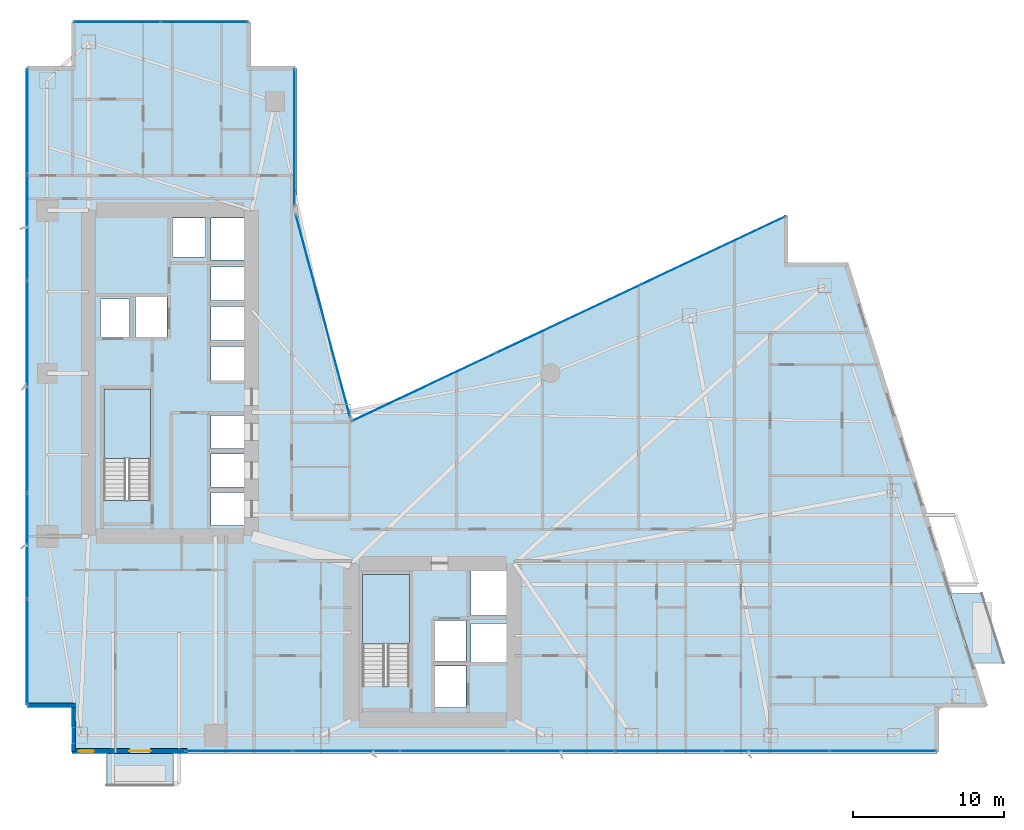
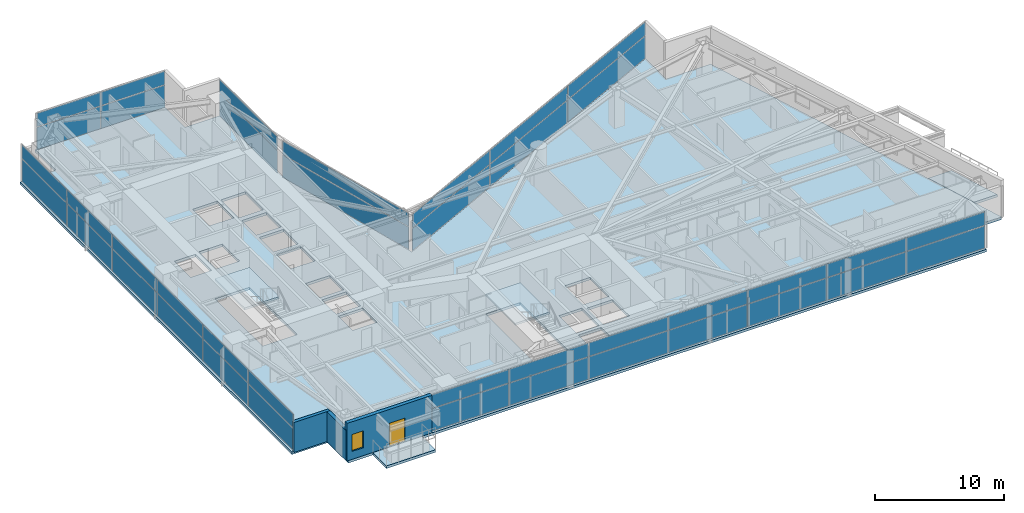
# One storey, part 21 of 30: 40 plates, 5 slabs, 3 walls, 1 door, 1 window, 2 openings, 8 elements without a shape of their own.
"""IFC4 building model written with IfcOpenShell, lengths in metres."""

from ifc_helpers import new_model, si_unit, direction, frame, frame_2d, origin, origin_2d, place, context, subcontext, project, spatial, polyline, rectangle, outline, extrude, material, layer, layer_set, type_object, element, fill, aggregate, save


model = new_model("IFC4")

# Units and contexts
model_context = context("Model", 3, precision=1e-05, world=origin(), true_north=direction((0.0, 1.0)))
body_context = subcontext(model_context, "Body", "Model", "MODEL_VIEW")
ifc_project = project(units=[si_unit("LENGTHUNIT", "METRE"), si_unit("AREAUNIT", "SQUARE_METRE"), si_unit("VOLUMEUNIT", "CUBIC_METRE"), si_unit("PLANEANGLEUNIT", "RADIAN"), si_unit("MASSUNIT", "GRAM", prefix="KILO")], contexts=[model_context])

# Site, building, storey
site_placement = place(None, origin())
site = spatial("IfcSite", under=ifc_project, at=site_placement, CompositionType="ELEMENT")
building_placement = place(site_placement, origin())
building = spatial("IfcBuilding", under=site, at=building_placement, Name="Calvorn Quay Hotel", CompositionType="ELEMENT")
storey_placement = place(building_placement, frame((0.0, 0.0, 54.60009765625)))
storey = spatial("IfcBuildingStorey", under=building, at=storey_placement, Name="L12", CompositionType="ELEMENT", Elevation=54.60009765625)

# Curtain wall, plates
ifc_material_1 = material(Name="Pale Anodised Aluminium and Low-E Glass", Category="aluminium")
ifc_layer_1 = layer(ifc_material_1, 0.219970703125)
ifc_layer_set_1 = layer_set([ifc_layer_1], Name="CW-SYS-Z1")
curtain_wall_type = type_object("IfcCurtainWallType", Name="CW-SYS-Z1", PredefinedType="NOTDEFINED", material=ifc_layer_set_1)
curtain_wall_1_placement = place(storey_placement, origin())
curtain_wall_1 = element("IfcCurtainWall", 1, at=curtain_wall_1_placement, inside=storey, type_object=curtain_wall_type, Name="Tower West Curtain Wall (L12)", PredefinedType="NOTDEFINED")
ifc_material_2 = material(Name="Low-E Laminated Double Glazing", Category="glass")
ifc_layer_2 = layer(ifc_material_2, 0.028076171875)
ifc_layer_set_2 = layer_set([ifc_layer_2], Name="CW-SYS-Z1-PAN")
plate_type = type_object("IfcPlateType", Name="CW-SYS-Z1-PAN", PredefinedType="CURTAIN_PANEL", material=ifc_layer_set_2)
plate_1_placement = place(storey_placement, frame((0.14990234375, 9.131591796875, 0.06005859375), z_axis=(0.0, 0.0, 1.0), x_axis=(0.0, 1.0, 0.0)))
plate_1 = element("IfcPlate", 2, at=plate_1_placement, type_object=plate_type, Name="CW-L12-W panel 1.1", PredefinedType="CURTAIN_PANEL", context=body_context, shape_type="SweptSolid", body=[
    extrude(rectangle(XDim=6.943359375, YDim=0.028076171875, at=origin_2d()), origin(), (0.0, 0.0, 1.0), 2.110107421875),
])
plate_2_placement = place(storey_placement, frame((0.14990234375, 9.131591796875, 2.22998046875), z_axis=(0.0, 0.0, 1.0), x_axis=(0.0, 1.0, 0.0)))
plate_2 = element("IfcPlate", 3, at=plate_2_placement, type_object=plate_type, Name="CW-L12-W panel 1.2", PredefinedType="CURTAIN_PANEL", context=body_context, shape_type="SweptSolid", body=[
    extrude(rectangle(XDim=6.943359375, YDim=0.028076171875, at=origin_2d()), origin(), (0.0, 0.0, 1.0), 1.27001953125),
])
plate_3_placement = place(storey_placement, frame((0.14990234375, 16.14990234375, 0.06005859375), z_axis=(0.0, 0.0, 1.0), x_axis=(0.0, 1.0, 0.0)))
plate_3 = element("IfcPlate", 4, at=plate_3_placement, type_object=plate_type, Name="CW-L12-W panel 2.1", PredefinedType="CURTAIN_PANEL", context=body_context, shape_type="SweptSolid", body=[
    extrude(rectangle(XDim=6.973388671875, YDim=0.028076171875, at=origin_2d()), origin(), (0.0, 0.0, 1.0), 2.110107421875),
])
plate_4_placement = place(storey_placement, frame((0.14990234375, 16.14990234375, 2.22998046875), z_axis=(0.0, 0.0, 1.0), x_axis=(0.0, 1.0, 0.0)))
plate_4 = element("IfcPlate", 5, at=plate_4_placement, type_object=plate_type, Name="CW-L12-W panel 2.2", PredefinedType="CURTAIN_PANEL", context=body_context, shape_type="SweptSolid", body=[
    extrude(rectangle(XDim=6.973388671875, YDim=0.028076171875, at=origin_2d()), origin(), (0.0, 0.0, 1.0), 1.27001953125),
])
plate_5_placement = place(storey_placement, frame((0.14990234375, 23.183349609375, 0.06005859375), z_axis=(0.0, 0.0, 1.0), x_axis=(0.0, 1.0, 0.0)))
plate_5 = element("IfcPlate", 6, at=plate_5_placement, type_object=plate_type, Name="CW-L12-W panel 3.1", PredefinedType="CURTAIN_PANEL", context=body_context, shape_type="SweptSolid", body=[
    extrude(rectangle(XDim=6.973388671875, YDim=0.028076171875, at=origin_2d()), origin(), (0.0, 0.0, 1.0), 2.110107421875),
])
plate_6_placement = place(storey_placement, frame((0.14990234375, 23.183349609375, 2.22998046875), z_axis=(0.0, 0.0, 1.0), x_axis=(0.0, 1.0, 0.0)))
plate_6 = element("IfcPlate", 7, at=plate_6_placement, type_object=plate_type, Name="CW-L12-W panel 3.2", PredefinedType="CURTAIN_PANEL", context=body_context, shape_type="SweptSolid", body=[
    extrude(rectangle(XDim=6.973388671875, YDim=0.028076171875, at=origin_2d()), origin(), (0.0, 0.0, 1.0), 1.27001953125),
])
plate_7_placement = place(storey_placement, frame((0.14990234375, 30.216552734375, 0.06005859375), z_axis=(0.0, 0.0, 1.0), x_axis=(0.0, 1.0, 0.0)))
plate_7 = element("IfcPlate", 8, at=plate_7_placement, type_object=plate_type, Name="CW-L12-W panel 4.1", PredefinedType="CURTAIN_PANEL", context=body_context, shape_type="SweptSolid", body=[
    extrude(rectangle(XDim=6.973388671875, YDim=0.028076171875, at=origin_2d()), origin(), (0.0, 0.0, 1.0), 2.110107421875),
])
plate_8_placement = place(storey_placement, frame((0.14990234375, 30.216552734375, 2.22998046875), z_axis=(0.0, 0.0, 1.0), x_axis=(0.0, 1.0, 0.0)))
plate_8 = element("IfcPlate", 9, at=plate_8_placement, type_object=plate_type, Name="CW-L12-W panel 4.2", PredefinedType="CURTAIN_PANEL", context=body_context, shape_type="SweptSolid", body=[
    extrude(rectangle(XDim=6.973388671875, YDim=0.028076171875, at=origin_2d()), origin(), (0.0, 0.0, 1.0), 1.27001953125),
])
plate_9_placement = place(storey_placement, frame((0.14990234375, 37.25, 0.06005859375), z_axis=(0.0, 0.0, 1.0), x_axis=(0.0, 1.0, 0.0)))
plate_9 = element("IfcPlate", 10, at=plate_9_placement, type_object=plate_type, Name="CW-L12-W panel 5.1", PredefinedType="CURTAIN_PANEL", context=body_context, shape_type="SweptSolid", body=[
    extrude(rectangle(XDim=6.973388671875, YDim=0.028076171875, at=origin_2d()), origin(), (0.0, 0.0, 1.0), 2.110107421875),
])
plate_10_placement = place(storey_placement, frame((0.14990234375, 37.25, 2.22998046875), z_axis=(0.0, 0.0, 1.0), x_axis=(0.0, 1.0, 0.0)))
plate_10 = element("IfcPlate", 11, at=plate_10_placement, type_object=plate_type, Name="CW-L12-W panel 5.2", PredefinedType="CURTAIN_PANEL", context=body_context, shape_type="SweptSolid", body=[
    extrude(rectangle(XDim=6.973388671875, YDim=0.028076171875, at=origin_2d()), origin(), (0.0, 0.0, 1.0), 1.27001953125),
])
plate_11_placement = place(storey_placement, frame((0.14990234375, 44.268310546875, 0.06005859375), z_axis=(0.0, 0.0, 1.0), x_axis=(0.0, 1.0, 0.0)))
plate_11 = element("IfcPlate", 12, at=plate_11_placement, type_object=plate_type, Name="CW-L12-W panel 6.1", PredefinedType="CURTAIN_PANEL", context=body_context, shape_type="SweptSolid", body=[
    extrude(rectangle(XDim=6.943359375, YDim=0.028076171875, at=origin_2d()), origin(), (0.0, 0.0, 1.0), 2.110107421875),
])
plate_12_placement = place(storey_placement, frame((0.14990234375, 44.268310546875, 2.22998046875), z_axis=(0.0, 0.0, 1.0), x_axis=(0.0, 1.0, 0.0)))
plate_12 = element("IfcPlate", 13, at=plate_12_placement, type_object=plate_type, Name="CW-L12-W panel 6.2", PredefinedType="CURTAIN_PANEL", context=body_context, shape_type="SweptSolid", body=[
    extrude(rectangle(XDim=6.943359375, YDim=0.028076171875, at=origin_2d()), origin(), (0.0, 0.0, 1.0), 1.27001953125),
])
aggregate(curtain_wall_1, [plate_1, plate_2, plate_3, plate_4, plate_5, plate_6, plate_7, plate_8, plate_9, plate_10, plate_11, plate_12])

curtain_wall_2_placement = place(storey_placement, origin())
curtain_wall_2 = element("IfcCurtainWall", 14, at=curtain_wall_2_placement, inside=storey, type_object=curtain_wall_type, Name="Tower South Waterfront Curtain Wall (L12)", PredefinedType="NOTDEFINED")
plate_13_placement = place(storey_placement, frame((14.172119140625, 2.550048828125, 0.06005859375), z_axis=(0.0, 0.0, 1.0), x_axis=(1.0, 0.0, 0.0)))
plate_13 = element("IfcPlate", 15, at=plate_13_placement, type_object=plate_type, Name="CW-L12-S panel 1.1", PredefinedType="CURTAIN_PANEL", context=body_context, shape_type="SweptSolid", body=[
    extrude(rectangle(XDim=7.024169921875, YDim=0.028076171875, at=origin_2d()), origin(), (0.0, 0.0, 1.0), 2.110107421875),
])
plate_14_placement = place(storey_placement, frame((14.172119140625, 2.550048828125, 2.22998046875), z_axis=(0.0, 0.0, 1.0), x_axis=(1.0, 0.0, 0.0)))
plate_14 = element("IfcPlate", 16, at=plate_14_placement, type_object=plate_type, Name="CW-L12-S panel 1.2", PredefinedType="CURTAIN_PANEL", context=body_context, shape_type="SweptSolid", body=[
    extrude(rectangle(XDim=7.024169921875, YDim=0.028076171875, at=origin_2d()), origin(), (0.0, 0.0, 1.0), 1.27001953125),
])
plate_15_placement = place(storey_placement, frame((21.271484375, 2.550048828125, 0.06005859375), z_axis=(0.0, 0.0, 1.0), x_axis=(1.0, 0.0, 0.0)))
plate_15 = element("IfcPlate", 17, at=plate_15_placement, type_object=plate_type, Name="CW-L12-S panel 2.1", PredefinedType="CURTAIN_PANEL", context=body_context, shape_type="SweptSolid", body=[
    extrude(rectangle(XDim=7.05419921875, YDim=0.028076171875, at=origin_2d()), origin(), (0.0, 0.0, 1.0), 2.110107421875),
])
plate_16_placement = place(storey_placement, frame((21.271484375, 2.550048828125, 2.22998046875), z_axis=(0.0, 0.0, 1.0), x_axis=(1.0, 0.0, 0.0)))
plate_16 = element("IfcPlate", 18, at=plate_16_placement, type_object=plate_type, Name="CW-L12-S panel 2.2", PredefinedType="CURTAIN_PANEL", context=body_context, shape_type="SweptSolid", body=[
    extrude(rectangle(XDim=7.05419921875, YDim=0.028076171875, at=origin_2d()), origin(), (0.0, 0.0, 1.0), 1.27001953125),
])
plate_17_placement = place(storey_placement, frame((28.3857421875, 2.550048828125, 0.06005859375), z_axis=(0.0, 0.0, 1.0), x_axis=(1.0, 0.0, 0.0)))
plate_17 = element("IfcPlate", 19, at=plate_17_placement, type_object=plate_type, Name="CW-L12-S panel 3.1", PredefinedType="CURTAIN_PANEL", context=body_context, shape_type="SweptSolid", body=[
    extrude(rectangle(XDim=7.05419921875, YDim=0.028076171875, at=origin_2d()), origin(), (0.0, 0.0, 1.0), 2.110107421875),
])
plate_18_placement = place(storey_placement, frame((28.3857421875, 2.550048828125, 2.22998046875), z_axis=(0.0, 0.0, 1.0), x_axis=(1.0, 0.0, 0.0)))
plate_18 = element("IfcPlate", 20, at=plate_18_placement, type_object=plate_type, Name="CW-L12-S panel 3.2", PredefinedType="CURTAIN_PANEL", context=body_context, shape_type="SweptSolid", body=[
    extrude(rectangle(XDim=7.05419921875, YDim=0.028076171875, at=origin_2d()), origin(), (0.0, 0.0, 1.0), 1.27001953125),
])
plate_19_placement = place(storey_placement, frame((35.5, 2.550048828125, 0.06005859375), z_axis=(0.0, 0.0, 1.0), x_axis=(1.0, 0.0, 0.0)))
plate_19 = element("IfcPlate", 21, at=plate_19_placement, type_object=plate_type, Name="CW-L12-S panel 4.1", PredefinedType="CURTAIN_PANEL", context=body_context, shape_type="SweptSolid", body=[
    extrude(rectangle(XDim=7.05419921875, YDim=0.028076171875, at=origin_2d()), origin(), (0.0, 0.0, 1.0), 2.110107421875),
])
plate_20_placement = place(storey_placement, frame((35.5, 2.550048828125, 2.22998046875), z_axis=(0.0, 0.0, 1.0), x_axis=(1.0, 0.0, 0.0)))
plate_20 = element("IfcPlate", 22, at=plate_20_placement, type_object=plate_type, Name="CW-L12-S panel 4.2", PredefinedType="CURTAIN_PANEL", context=body_context, shape_type="SweptSolid", body=[
    extrude(rectangle(XDim=7.05419921875, YDim=0.028076171875, at=origin_2d()), origin(), (0.0, 0.0, 1.0), 1.27001953125),
])
plate_21_placement = place(storey_placement, frame((42.6142578125, 2.550048828125, 0.06005859375), z_axis=(0.0, 0.0, 1.0), x_axis=(1.0, 0.0, 0.0)))
plate_21 = element("IfcPlate", 23, at=plate_21_placement, type_object=plate_type, Name="CW-L12-S panel 5.1", PredefinedType="CURTAIN_PANEL", context=body_context, shape_type="SweptSolid", body=[
    extrude(rectangle(XDim=7.05419921875, YDim=0.028076171875, at=origin_2d()), origin(), (0.0, 0.0, 1.0), 2.110107421875),
])
plate_22_placement = place(storey_placement, frame((42.6142578125, 2.550048828125, 2.22998046875), z_axis=(0.0, 0.0, 1.0), x_axis=(1.0, 0.0, 0.0)))
plate_22 = element("IfcPlate", 24, at=plate_22_placement, type_object=plate_type, Name="CW-L12-S panel 5.2", PredefinedType="CURTAIN_PANEL", context=body_context, shape_type="SweptSolid", body=[
    extrude(rectangle(XDim=7.05419921875, YDim=0.028076171875, at=origin_2d()), origin(), (0.0, 0.0, 1.0), 1.27001953125),
])
plate_23_placement = place(storey_placement, frame((49.728515625, 2.550048828125, 0.06005859375), z_axis=(0.0, 0.0, 1.0), x_axis=(1.0, 0.0, 0.0)))
plate_23 = element("IfcPlate", 25, at=plate_23_placement, type_object=plate_type, Name="CW-L12-S panel 6.1", PredefinedType="CURTAIN_PANEL", context=body_context, shape_type="SweptSolid", body=[
    extrude(rectangle(XDim=7.05419921875, YDim=0.028076171875, at=origin_2d()), origin(), (0.0, 0.0, 1.0), 2.110107421875),
])
plate_24_placement = place(storey_placement, frame((49.728515625, 2.550048828125, 2.22998046875), z_axis=(0.0, 0.0, 1.0), x_axis=(1.0, 0.0, 0.0)))
plate_24 = element("IfcPlate", 26, at=plate_24_placement, type_object=plate_type, Name="CW-L12-S panel 6.2", PredefinedType="CURTAIN_PANEL", context=body_context, shape_type="SweptSolid", body=[
    extrude(rectangle(XDim=7.05419921875, YDim=0.028076171875, at=origin_2d()), origin(), (0.0, 0.0, 1.0), 1.27001953125),
])
plate_25_placement = place(storey_placement, frame((56.827880859375, 2.550048828125, 0.06005859375), z_axis=(0.0, 0.0, 1.0), x_axis=(1.0, 0.0, 0.0)))
plate_25 = element("IfcPlate", 27, at=plate_25_placement, type_object=plate_type, Name="CW-L12-S panel 7.1", PredefinedType="CURTAIN_PANEL", context=body_context, shape_type="SweptSolid", body=[
    extrude(rectangle(XDim=7.024169921875, YDim=0.028076171875, at=origin_2d()), origin(), (0.0, 0.0, 1.0), 2.110107421875),
])
plate_26_placement = place(storey_placement, frame((56.827880859375, 2.550048828125, 2.22998046875), z_axis=(0.0, 0.0, 1.0), x_axis=(1.0, 0.0, 0.0)))
plate_26 = element("IfcPlate", 28, at=plate_26_placement, type_object=plate_type, Name="CW-L12-S panel 7.2", PredefinedType="CURTAIN_PANEL", context=body_context, shape_type="SweptSolid", body=[
    extrude(rectangle(XDim=7.024169921875, YDim=0.028076171875, at=origin_2d()), origin(), (0.0, 0.0, 1.0), 1.27001953125),
])
aggregate(curtain_wall_2, [plate_13, plate_14, plate_15, plate_16, plate_17, plate_18, plate_19, plate_20, plate_21, plate_22, plate_23, plate_24, plate_25, plate_26])

curtain_wall_3_placement = place(storey_placement, origin())
curtain_wall_3 = element("IfcCurtainWall", 29, at=curtain_wall_3_placement, inside=storey, type_object=curtain_wall_type, Name="Inner Court Curtain Wall L12-NE1", PredefinedType="NOTDEFINED")
plate_27_placement = place(storey_placement, frame((45.58642578125, 35.726806640625, 0.06005859375), z_axis=(0.0, 0.0, 1.0), x_axis=(-0.904248646743, -0.427006305415, 0.0)))
plate_27 = element("IfcPlate", 30, at=plate_27_placement, type_object=plate_type, Name="CW-L12-NE1 panel 1.1", PredefinedType="CURTAIN_PANEL", context=body_context, shape_type="SweptSolid", body=[
    extrude(rectangle(XDim=10.526611328125, YDim=0.028076171875, at=origin_2d()), origin(), (0.0, 0.0, 1.0), 2.110107421875),
])
plate_28_placement = place(storey_placement, frame((45.58642578125, 35.726806640625, 2.22998046875), z_axis=(0.0, 0.0, 1.0), x_axis=(-0.904248646743, -0.427006305415, 0.0)))
plate_28 = element("IfcPlate", 31, at=plate_28_placement, type_object=plate_type, Name="CW-L12-NE1 panel 1.2", PredefinedType="CURTAIN_PANEL", context=body_context, shape_type="SweptSolid", body=[
    extrude(rectangle(XDim=10.526611328125, YDim=0.028076171875, at=origin_2d()), origin(), (0.0, 0.0, 1.0), 1.27001953125),
])
plate_29_placement = place(storey_placement, frame((36.0, 31.199951171875, 0.06005859375), z_axis=(0.0, 0.0, 1.0), x_axis=(-0.904248646743, -0.427006305415, 0.0)))
plate_29 = element("IfcPlate", 32, at=plate_29_placement, type_object=plate_type, Name="CW-L12-NE1 panel 2.1", PredefinedType="CURTAIN_PANEL", context=body_context, shape_type="SweptSolid", body=[
    extrude(rectangle(XDim=10.556640625, YDim=0.028076171875, at=origin_2d()), origin(), (0.0, 0.0, 1.0), 2.110107421875),
])
plate_30_placement = place(storey_placement, frame((36.0, 31.199951171875, 2.22998046875), z_axis=(0.0, 0.0, 1.0), x_axis=(-0.904248646743, -0.427006305415, 0.0)))
plate_30 = element("IfcPlate", 33, at=plate_30_placement, type_object=plate_type, Name="CW-L12-NE1 panel 2.2", PredefinedType="CURTAIN_PANEL", context=body_context, shape_type="SweptSolid", body=[
    extrude(rectangle(XDim=10.556640625, YDim=0.028076171875, at=origin_2d()), origin(), (0.0, 0.0, 1.0), 1.27001953125),
])
plate_31_placement = place(storey_placement, frame((26.41357421875, 26.673095703125, 0.06005859375), z_axis=(0.0, 0.0, 1.0), x_axis=(-0.904248646743, -0.427006305415, 0.0)))
plate_31 = element("IfcPlate", 34, at=plate_31_placement, type_object=plate_type, Name="CW-L12-NE1 panel 3.1", PredefinedType="CURTAIN_PANEL", context=body_context, shape_type="SweptSolid", body=[
    extrude(rectangle(XDim=10.526611328125, YDim=0.028076171875, at=origin_2d()), origin(), (0.0, 0.0, 1.0), 2.110107421875),
])
plate_32_placement = place(storey_placement, frame((26.41357421875, 26.673095703125, 2.22998046875), z_axis=(0.0, 0.0, 1.0), x_axis=(-0.904248646743, -0.427006305415, 0.0)))
plate_32 = element("IfcPlate", 35, at=plate_32_placement, type_object=plate_type, Name="CW-L12-NE1 panel 3.2", PredefinedType="CURTAIN_PANEL", context=body_context, shape_type="SweptSolid", body=[
    extrude(rectangle(XDim=10.526611328125, YDim=0.028076171875, at=origin_2d()), origin(), (0.0, 0.0, 1.0), 1.27001953125),
])
aggregate(curtain_wall_3, [plate_27, plate_28, plate_29, plate_30, plate_31, plate_32])

curtain_wall_4_placement = place(storey_placement, origin())
curtain_wall_4 = element("IfcCurtainWall", 36, at=curtain_wall_4_placement, inside=storey, type_object=curtain_wall_type, Name="Inner Court Curtain Wall L12-IC1", PredefinedType="NOTDEFINED")
plate_33_placement = place(storey_placement, frame((19.72509765625, 31.39990234375, 0.06005859375), z_axis=(0.0, 0.0, 1.0), x_axis=(-0.25877913024, 0.96593652056, 0.0)))
plate_33 = element("IfcPlate", 37, at=plate_33_placement, type_object=plate_type, Name="CW-L12-IC1 panel 1.1", PredefinedType="CURTAIN_PANEL", context=body_context, shape_type="SweptSolid", body=[
    extrude(rectangle(XDim=13.814697265625, YDim=0.028076171875, at=origin_2d()), origin(), (0.0, 0.0, 1.0), 2.110107421875),
])
plate_34_placement = place(storey_placement, frame((19.72509765625, 31.39990234375, 2.22998046875), z_axis=(0.0, 0.0, 1.0), x_axis=(-0.25877913024, 0.96593652056, 0.0)))
plate_34 = element("IfcPlate", 38, at=plate_34_placement, type_object=plate_type, Name="CW-L12-IC1 panel 1.2", PredefinedType="CURTAIN_PANEL", context=body_context, shape_type="SweptSolid", body=[
    extrude(rectangle(XDim=13.814697265625, YDim=0.028076171875, at=origin_2d()), origin(), (0.0, 0.0, 1.0), 1.27001953125),
])
aggregate(curtain_wall_4, [plate_33, plate_34])

curtain_wall_5_placement = place(storey_placement, origin())
curtain_wall_5 = element("IfcCurtainWall", 39, at=curtain_wall_5_placement, inside=storey, type_object=curtain_wall_type, Name="Inner Court Curtain Wall L12-IC2", PredefinedType="NOTDEFINED")
plate_35_placement = place(storey_placement, frame((17.85009765625, 43.239990234375, 0.06005859375), z_axis=(0.0, 0.0, 1.0), x_axis=(0.0, 1.0, 0.0)))
plate_35 = element("IfcPlate", 40, at=plate_35_placement, type_object=plate_type, Name="CW-L12-IC2 panel 1.1", PredefinedType="CURTAIN_PANEL", context=body_context, shape_type="SweptSolid", body=[
    extrude(rectangle(XDim=9.0, YDim=0.028076171875, at=origin_2d()), origin(), (0.0, 0.0, 1.0), 2.110107421875),
])
plate_36_placement = place(storey_placement, frame((17.85009765625, 43.239990234375, 2.22998046875), z_axis=(0.0, 0.0, 1.0), x_axis=(0.0, 1.0, 0.0)))
plate_36 = element("IfcPlate", 41, at=plate_36_placement, type_object=plate_type, Name="CW-L12-IC2 panel 1.2", PredefinedType="CURTAIN_PANEL", context=body_context, shape_type="SweptSolid", body=[
    extrude(rectangle(XDim=9.0, YDim=0.028076171875, at=origin_2d()), origin(), (0.0, 0.0, 1.0), 1.27001953125),
])
aggregate(curtain_wall_5, [plate_35, plate_36])

curtain_wall_6_placement = place(storey_placement, origin())
curtain_wall_6 = element("IfcCurtainWall", 42, at=curtain_wall_6_placement, inside=storey, type_object=curtain_wall_type, Name="Inner Court Curtain Wall L12-N1", PredefinedType="NOTDEFINED")
plate_37_placement = place(storey_placement, frame((11.885009765625, 50.85009765625, 0.06005859375), z_axis=(0.0, 0.0, 1.0), x_axis=(-1.0, 0.0, 0.0)))
plate_37 = element("IfcPlate", 43, at=plate_37_placement, type_object=plate_type, Name="CW-L12-N1 panel 1.1", PredefinedType="CURTAIN_PANEL", context=body_context, shape_type="SweptSolid", body=[
    extrude(rectangle(XDim=5.7099609375, YDim=0.028076171875, at=origin_2d()), origin(), (0.0, 0.0, 1.0), 2.110107421875),
])
plate_38_placement = place(storey_placement, frame((11.885009765625, 50.85009765625, 2.22998046875), z_axis=(0.0, 0.0, 1.0), x_axis=(-1.0, 0.0, 0.0)))
plate_38 = element("IfcPlate", 44, at=plate_38_placement, type_object=plate_type, Name="CW-L12-N1 panel 1.2", PredefinedType="CURTAIN_PANEL", context=body_context, shape_type="SweptSolid", body=[
    extrude(rectangle(XDim=5.7099609375, YDim=0.028076171875, at=origin_2d()), origin(), (0.0, 0.0, 1.0), 1.27001953125),
])
plate_39_placement = place(storey_placement, frame((6.114990234375, 50.85009765625, 0.06005859375), z_axis=(0.0, 0.0, 1.0), x_axis=(-1.0, 0.0, 0.0)))
plate_39 = element("IfcPlate", 45, at=plate_39_placement, type_object=plate_type, Name="CW-L12-N1 panel 2.1", PredefinedType="CURTAIN_PANEL", context=body_context, shape_type="SweptSolid", body=[
    extrude(rectangle(XDim=5.7099609375, YDim=0.028076171875, at=origin_2d()), origin(), (0.0, 0.0, 1.0), 2.110107421875),
])
plate_40_placement = place(storey_placement, frame((6.114990234375, 50.85009765625, 2.22998046875), z_axis=(0.0, 0.0, 1.0), x_axis=(-1.0, 0.0, 0.0)))
plate_40 = element("IfcPlate", 46, at=plate_40_placement, type_object=plate_type, Name="CW-L12-N1 panel 2.2", PredefinedType="CURTAIN_PANEL", context=body_context, shape_type="SweptSolid", body=[
    extrude(rectangle(XDim=5.7099609375, YDim=0.028076171875, at=origin_2d()), origin(), (0.0, 0.0, 1.0), 1.27001953125),
])
aggregate(curtain_wall_6, [plate_37, plate_38, plate_39, plate_40])

# Slabs
ifc_material_3 = material(Name="Concrete C40", Category="concrete")
ifc_layer_3 = layer(ifc_material_3, 0.239990234375)
ifc_layer_set_3 = layer_set([ifc_layer_3], Name="SLB-BALCONY-220")
slab_type_1 = type_object("IfcSlabType", Name="SLB-BALCONY-220", PredefinedType="FLOOR", material=ifc_layer_set_3)
slab_1_placement = place(storey_placement, frame((0.0, 0.0, -0.239990234375)))
element("IfcSlab", 47, at=slab_1_placement, inside=storey, type_object=slab_type_1, Name="Tree Balcony Slab L12-BALC-E", PredefinedType="FLOOR", context=body_context, shape_type="SweptSolid", body=[
    extrude(outline(polyline([(62.72802734375, 8.39990234375), (64.827880859375, 8.39990234375), (63.3779296875, 13.0), (61.278076171875, 13.0), (62.72802734375, 8.39990234375)])), origin(), (0.0, 0.0, 1.0), 0.239990234375),
])
slab_2_placement = place(storey_placement, frame((0.0, 0.0, -0.239990234375)))
element("IfcSlab", 48, at=slab_2_placement, inside=storey, type_object=slab_type_1, Name="Tree Balcony Slab L12-BALC-S", PredefinedType="FLOOR", context=body_context, shape_type="SweptSolid", body=[
    extrude(outline(polyline([(5.39990234375, 0.2900390625), (9.800048828125, 0.2900390625), (9.800048828125, 2.389892578125), (5.39990234375, 2.389892578125), (5.39990234375, 0.2900390625)])), origin(), (0.0, 0.0, 1.0), 0.239990234375),
])

# Stair, slab
ifc_material_4 = material(Name="Concrete C40", Category="concrete")
stair_type = type_object("IfcStairType", Name="STR-CORE-DOGLEG", PredefinedType="HALF_TURN_STAIR", material=ifc_material_4)
stair_1_placement = place(storey_placement, origin())
stair_1 = element("IfcStair", 49, at=stair_1_placement, inside=storey, type_object=stair_type, Name="L12 ST-W", PredefinedType="HALF_TURN_STAIR")
ifc_material_5 = material(Name="Concrete C40", Category="concrete")
ifc_layer_4 = layer(ifc_material_5, 0.199951171875)
ifc_layer_set_4 = layer_set([ifc_layer_4], Name="SLB-STAIR-LANDING-200")
slab_type_2 = type_object("IfcSlabType", Name="SLB-STAIR-LANDING-200", PredefinedType="LANDING", material=ifc_layer_set_4)
slab_3_placement = place(storey_placement, frame((0.0, 0.0, 1.699951171875)))
slab_3 = element("IfcSlab", 50, at=slab_3_placement, type_object=slab_type_2, Name="ST-W landing 1", PredefinedType="LANDING", context=body_context, shape_type="SweptSolid", body=[
    extrude(outline(polyline([(8.300048828125, 21.949951171875), (8.300048828125, 26.550048828125), (5.199951171875, 26.550048828125), (5.199951171875, 21.949951171875), (8.300048828125, 21.949951171875)])), origin(), (0.0, 0.0, 1.0), 0.199951171875),
])
aggregate(stair_1, [slab_3])

stair_2_placement = place(storey_placement, origin())
stair_2 = element("IfcStair", 51, at=stair_2_placement, inside=storey, type_object=stair_type, Name="L12 ST-E", PredefinedType="HALF_TURN_STAIR")
slab_4_placement = place(storey_placement, frame((0.0, 0.0, 1.699951171875)))
slab_4 = element("IfcSlab", 52, at=slab_4_placement, type_object=slab_type_2, Name="ST-E landing 1", PredefinedType="LANDING", context=body_context, shape_type="SweptSolid", body=[
    extrude(outline(polyline([(25.449951171875, 9.64990234375), (25.449951171875, 14.25), (22.35009765625, 14.25), (22.35009765625, 9.64990234375), (25.449951171875, 9.64990234375)])), origin(), (0.0, 0.0, 1.0), 0.199951171875),
])
aggregate(stair_2, [slab_4])

# Slab
ifc_material_6 = material(Name="Concrete C40", Category="concrete")
ifc_layer_5 = layer(ifc_material_6, 0.239990234375)
ifc_layer_set_5 = layer_set([ifc_layer_5], Name="SLB-TOWER-240")
slab_type_3 = type_object("IfcSlabType", Name="SLB-TOWER-240", PredefinedType="FLOOR", material=ifc_layer_set_5)
slab_5_placement = place(storey_placement, frame((0.0, 0.0, -0.239990234375)))
element("IfcSlab", 53, at=slab_5_placement, inside=storey, type_object=slab_type_3, Name="L12 Structural Floor Slab", PredefinedType="FLOOR", context=body_context, shape_type="SweptSolid", body=[
    extrude(outline(polyline([(0.0, 5.60009765625), (3.199951171875, 5.60009765625), (3.199951171875, 2.39990234375), (60.39990234375, 2.39990234375), (60.39990234375, 5.60009765625), (63.60009765625, 5.60009765625), (54.39990234375, 34.800048828125), (50.39990234375, 34.800048828125), (50.39990234375, 38.0), (21.60009765625, 24.39990234375), (18.0, 38.39990234375), (18.0, 47.800048828125), (14.800048828125, 47.800048828125), (14.800048828125, 51.0), (3.199951171875, 51.0), (3.199951171875, 47.800048828125), (0.0, 47.800048828125), (0.0, 5.60009765625)]), holes=[polyline([(5.199951171875, 19.156005859375), (8.300048828125, 19.156005859375), (8.300048828125, 26.550048828125), (5.199951171875, 26.550048828125), (5.199951171875, 19.156005859375)]), polyline([(22.35009765625, 6.85595703125), (25.449951171875, 6.85595703125), (25.449951171875, 14.25), (22.35009765625, 14.25), (22.35009765625, 6.85595703125)]), polyline([(5.0, 30.0), (6.89990234375, 30.0), (6.89990234375, 32.5), (5.0, 32.5), (5.0, 30.0)]), polyline([(7.300048828125, 30.0), (9.39990234375, 30.0), (9.39990234375, 32.64990234375), (7.300048828125, 32.64990234375), (7.300048828125, 30.0)]), polyline([(27.159912109375, 8.5), (29.2099609375, 8.5), (29.2099609375, 11.199951171875), (27.159912109375, 11.199951171875), (27.159912109375, 8.5)]), polyline([(27.159912109375, 5.449951171875), (29.2099609375, 5.449951171875), (29.2099609375, 8.199951171875), (27.159912109375, 8.199951171875), (27.159912109375, 5.449951171875)]), polyline([(12.300048828125, 17.5), (14.489990234375, 17.5), (14.489990234375, 19.699951171875), (12.300048828125, 19.699951171875), (12.300048828125, 17.5)]), polyline([(12.300048828125, 20.050048828125), (14.489990234375, 20.050048828125), (14.489990234375, 22.25), (12.300048828125, 22.25), (12.300048828125, 20.050048828125)]), polyline([(12.300048828125, 22.60009765625), (14.489990234375, 22.60009765625), (14.489990234375, 24.800048828125), (12.300048828125, 24.800048828125), (12.300048828125, 22.60009765625)]), polyline([(12.300048828125, 27.10009765625), (14.489990234375, 27.10009765625), (14.489990234375, 29.35009765625), (12.300048828125, 29.35009765625), (12.300048828125, 27.10009765625)]), polyline([(12.300048828125, 29.75), (14.489990234375, 29.75), (14.489990234375, 32.0), (12.300048828125, 32.0), (12.300048828125, 29.75)]), polyline([(12.300048828125, 32.39990234375), (14.489990234375, 32.39990234375), (14.489990234375, 34.64990234375), (12.300048828125, 34.64990234375), (12.300048828125, 32.39990234375)]), polyline([(12.300048828125, 35.10009765625), (14.489990234375, 35.10009765625), (14.489990234375, 37.889892578125), (12.300048828125, 37.889892578125), (12.300048828125, 35.10009765625)]), polyline([(9.75, 35.300048828125), (11.949951171875, 35.300048828125), (11.949951171875, 37.889892578125), (9.75, 37.889892578125), (9.75, 35.300048828125)]), polyline([(29.550048828125, 11.550048828125), (31.889892578125, 11.550048828125), (31.889892578125, 14.489990234375), (29.550048828125, 14.489990234375), (29.550048828125, 11.550048828125)]), polyline([(29.550048828125, 8.449951171875), (31.889892578125, 8.449951171875), (31.889892578125, 11.0), (29.550048828125, 11.0), (29.550048828125, 8.449951171875)])]), origin(), (0.0, 0.0, 1.0), 0.239990234375),
])

# Wall, openings, door, window
ifc_material_7 = material(Name="Concrete C40", Category="concrete")
ifc_layer_6 = layer(ifc_material_7, 0.320068359375)
ifc_layer_set_6 = layer_set([ifc_layer_6], Name="WL-EXT-SPANDREL-320")
wall_type = type_object("IfcWallType", Name="WL-EXT-SPANDREL-320", PredefinedType="SOLIDWALL", material=ifc_layer_set_6)
wall_1_placement = place(storey_placement, frame((3.10009765625, 2.56005859375, 0.0), z_axis=(0.0, 0.0, 1.0), x_axis=(1.0, 0.0, 0.0)))
wall_1 = element("IfcWall", 54, at=wall_1_placement, inside=storey, type_object=wall_type, Name="South Balcony Exterior Wall (L12)", PredefinedType="SOLIDWALL", context=body_context, shape_type="SweptSolid", body=[
    extrude(rectangle(XDim=7.599853515625, YDim=0.320068359375, at=frame_2d((3.7998046875, 0.0))), origin(), (0.0, 0.0, 1.0), 3.559814453125),
])
opening_1_placement = place(wall_1_placement, frame((0.449951171875, 0.0, 0.75)))
opening_1 = element("IfcOpeningElement", 55, at=opening_1_placement, cuts=wall_1, Name="Opening WSB-L12-1", PredefinedType="OPENING", context=body_context, shape_type="SweptSolid", body=[
    extrude(rectangle(XDim=1.0, YDim=1.60009765625, at=frame_2d((0.5, 0.800048828125))), frame((0.0, 0.169921875, 0.0), z_axis=(0.0, -1.0, 0.0), x_axis=(1.0, 0.0, 0.0)), (0.0, 0.0, 1.0), 0.340087890625),
])
opening_2_placement = place(wall_1_placement, frame((3.800048828125, 0.0, 0.0)))
opening_2 = element("IfcOpeningElement", 56, at=opening_2_placement, cuts=wall_1, Name="Opening DB-L12-2", PredefinedType="OPENING", context=body_context, shape_type="SweptSolid", body=[
    extrude(rectangle(XDim=1.39990234375, YDim=2.25, at=frame_2d((0.699951171875, 1.125))), frame((0.0, 0.169921875, 0.0), z_axis=(0.0, -1.0, 0.0), x_axis=(1.0, 0.0, 0.0)), (0.0, 0.0, 1.0), 0.340087890625),
])
ifc_material_8 = material(Name="Typhoon-Rated Low-E Aluminium Terrace Door", Category="aluminium")
door_type = type_object("IfcDoorType", Name="DR-BALCONY-GLZ-1400", OperationType="NOTDEFINED", PredefinedType="DOOR", material=ifc_material_8)
door_placement = place(opening_2_placement, origin())
door = element("IfcDoor", 57, at=door_placement, inside=storey, type_object=door_type, Name="Tree Balcony Terrace Door L12-BALC-S", OperationType="SINGLE_SWING_LEFT", OverallHeight=2.25, OverallWidth=1.39990234375, PredefinedType="DOOR", context=body_context, shape_type="SweptSolid", body=[
    extrude(rectangle(XDim=1.39990234375, YDim=2.25, at=frame_2d((0.699951171875, 1.125))), frame((0.0, 0.02490234375, 0.0), z_axis=(0.0, -1.0, 0.0), x_axis=(1.0, 0.0, 0.0)), (0.0, 0.0, 1.0), 0.050048828125),
])
fill(opening_2, door)
ifc_material_9 = material(Name="Self-Closing Class B Side Fire Window")
window_type = type_object("IfcWindowType", Name="WIN-REFUGE-NARROW-1000x1600", PartitioningType="SINGLE_PANEL", PredefinedType="WINDOW", material=ifc_material_9)
window_placement = place(opening_1_placement, origin())
window = element("IfcWindow", 58, at=window_placement, inside=storey, type_object=window_type, Name="South Waterfront Side Window (L12)", OverallHeight=1.60009765625, OverallWidth=1.0, PartitioningType="SINGLE_PANEL", PredefinedType="WINDOW", context=body_context, shape_type="SweptSolid", body=[
    extrude(rectangle(XDim=1.0, YDim=1.60009765625, at=frame_2d((0.5, 0.800048828125))), frame((0.0, 0.030029296875, 0.0), z_axis=(0.0, -1.0, 0.0), x_axis=(1.0, 0.0, 0.0)), (0.0, 0.0, 1.0), 0.06005859375),
])
fill(opening_1, window)

# Walls
wall_2_placement = place(storey_placement, frame((0.1201171875, 5.60009765625, 0.0), z_axis=(0.0, 0.0, 1.0), x_axis=(1.0, 0.0, 0.0)))
element("IfcWall", 59, at=wall_2_placement, inside=storey, type_object=wall_type, Name="Notched Corner Spandrel L12-SW1", PredefinedType="SOLIDWALL", context=body_context, shape_type="SweptSolid", body=[
    extrude(rectangle(XDim=3.219970703125, YDim=0.280029296875, at=frame_2d((1.60986328125, 0.0))), origin(), (0.0, 0.0, 1.0), 2.83984375),
])
wall_3_placement = place(storey_placement, frame((3.199951171875, 5.4599609375, 0.0), z_axis=(0.0, 0.0, 1.0), x_axis=(0.0, -1.0, 0.0)))
element("IfcWall", 60, at=wall_3_placement, inside=storey, type_object=wall_type, Name="Notched Corner Spandrel L12-SW2", PredefinedType="SOLIDWALL", context=body_context, shape_type="SweptSolid", body=[
    extrude(rectangle(XDim=2.93994140625, YDim=0.280029296875, at=frame_2d((1.469970703125, 0.0))), origin(), (0.0, 0.0, 1.0), 2.83984375),
])

save(model, "model.ifc")
